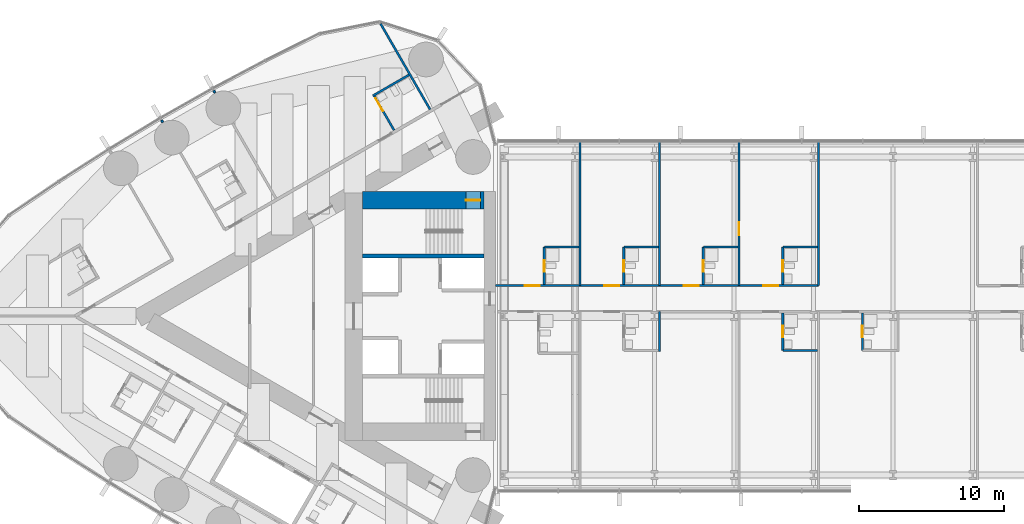
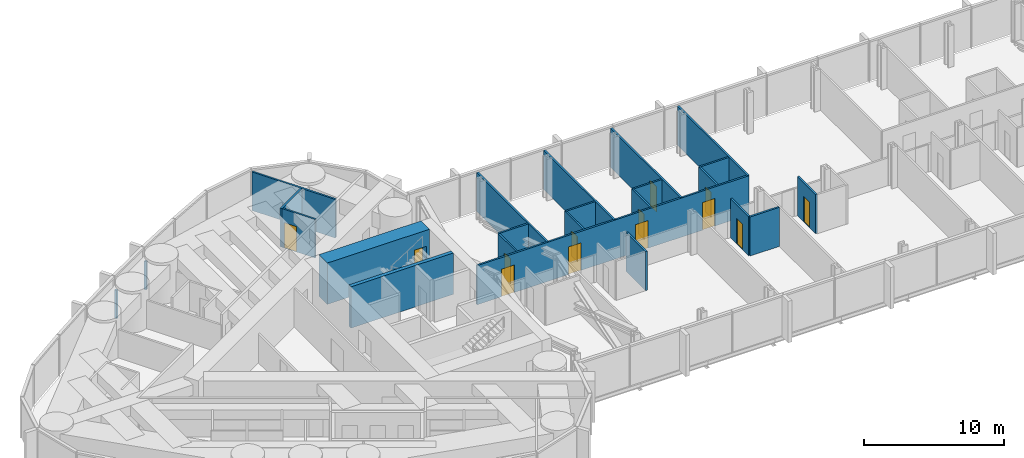
# One storey, part 16 of 22: 24 walls, 13 doors, 13 openings.
"""IFC4 building model written with IfcOpenShell, lengths in metres."""

import ifcopenshell
import ifcopenshell.guid

model = None  # the IFC model being written
_history = None  # IfcOwnerHistory: only IFC2X3 demands one
_inside = {}  # id of a spatial element -> (the spatial element, [elements in it])
_under = {}  # id of a project, library or spatial element -> (it, [spatial elements below it])
_declared = {}  # id of a project -> (the project, [libraries it declares])
_typed = {}  # id of a type object -> (the type object, [elements of that type])
_made_of = {}  # id of a material, layer set ... -> (it, [elements and type objects made of it])


def new_model(schema):
    """Start an empty IFC model of exactly this schema.

    Asked for "IFC4X3", IfcOpenShell would pick the latest addendum, in which some entities
    have other attributes; the version numbers below select the first issue.
    IFC2X3 requires an IfcOwnerHistory on every rooted entity: one is made here for all.
    """
    global model, _history
    if schema == "IFC4X3":
        model = ifcopenshell.file(schema_version=(4, 3, 0, 0))
    else:
        model = ifcopenshell.file(schema=schema)
    _inside.clear()
    _under.clear()
    _declared.clear()
    _typed.clear()
    _made_of.clear()
    _history = None
    if model.schema == "IFC2X3":
        org = make("IfcOrganization", Name="unknown")
        user = make(
            "IfcPersonAndOrganization",
            ThePerson=make("IfcPerson", FamilyName="unknown"),
            TheOrganization=org,
        )
        app = make(
            "IfcApplication",
            ApplicationDeveloper=org,
            Version="unknown",
            ApplicationFullName="unknown",
            ApplicationIdentifier="unknown",
        )
        _history = make(
            "IfcOwnerHistory",
            OwningUser=user,
            OwningApplication=app,
            ChangeAction="ADDED",
            CreationDate=0,
        )
    return model


def make(cls, **values):
    """One entity of the class cls with the attributes given. An attribute that is None is left unset."""
    return model.create_entity(
        cls, **{name: value for name, value in values.items() if value is not None}
    )


def rooted(cls, **values):
    """An entity with a GlobalId (a new one), such as an element, a storey or a relation."""
    return make(cls, GlobalId=ifcopenshell.guid.new(), OwnerHistory=_history, **values)


def si_unit(unit_type, name, prefix=None):
    """IfcSIUnit, for example si_unit("LENGTHUNIT", "METRE", prefix="MILLI")."""
    return make("IfcSIUnit", UnitType=unit_type, Prefix=prefix, Name=name)


def assignment(units):
    """IfcUnitAssignment: the units of a project."""
    return None if units is None else make("IfcUnitAssignment", Units=units)


def point(xyz):
    """IfcCartesianPoint."""
    return None if xyz is None else make("IfcCartesianPoint", Coordinates=xyz)


def direction(xyz):
    """IfcDirection."""
    return None if xyz is None else make("IfcDirection", DirectionRatios=xyz)


def frame(location, z_axis=None, x_axis=None):
    """IfcAxis2Placement3D, a coordinate frame: its origin and axes. An axis left out is left unset."""
    return make(
        "IfcAxis2Placement3D",
        Location=point(location),
        Axis=direction(z_axis),
        RefDirection=direction(x_axis),
    )


def frame_2d(location, x_axis=None):
    """IfcAxis2Placement2D, a coordinate frame in the plane: its origin and x axis."""
    return make(
        "IfcAxis2Placement2D", Location=point(location), RefDirection=direction(x_axis)
    )


def origin():
    """The frame at (0, 0, 0) with its axes left unset."""
    return frame((0.0, 0.0, 0.0))


def place(relative_to, where):
    """IfcLocalPlacement: puts the frame where relative to a parent placement (None: the world)."""
    return make(
        "IfcLocalPlacement", PlacementRelTo=relative_to, RelativePlacement=where
    )


def context(
    kind, dimensions, precision=None, world=None, true_north=None, identifier=None
):
    """IfcGeometricRepresentationContext, for example the 3D "Model" context."""
    return make(
        "IfcGeometricRepresentationContext",
        ContextIdentifier=identifier,
        ContextType=kind,
        CoordinateSpaceDimension=dimensions,
        Precision=precision,
        WorldCoordinateSystem=world,
        TrueNorth=true_north,
    )


def subcontext(parent, identifier, kind, view, scale=None):
    """IfcGeometricRepresentationSubContext, for example "Body" below "Model"."""
    return make(
        "IfcGeometricRepresentationSubContext",
        ContextIdentifier=identifier,
        ContextType=kind,
        ParentContext=parent,
        TargetScale=scale,
        TargetView=view,
    )


def project(units=None, contexts=None):
    """IfcProject with its units and contexts."""
    return rooted(
        "IfcProject",
        Name="project",
        RepresentationContexts=contexts,
        UnitsInContext=assignment(units),
    )


def spatial(cls, under=None, at=None, **own):
    """A site, building, storey or space (cls), placed at a placement, below another one or the project."""
    s = rooted(cls, ObjectPlacement=at, **own)
    if under is not None:
        _under.setdefault(under.id(), (under, []))[1].append(s)
    return s


def profile(cls, at=None, kind="AREA", **sizes):
    """A parametric profile (cls). Its sizes go by their IFC names, for example OverallWidth=200.0."""
    return make(cls, ProfileType=kind, Position=at, **sizes)


def rectangle(**sizes):
    """IfcRectangleProfileDef."""
    return profile("IfcRectangleProfileDef", **sizes)


def extrude(swept, where, along, depth):
    """IfcExtrudedAreaSolid: the profile swept, set in the frame where, extruded along a direction by depth."""
    return make(
        "IfcExtrudedAreaSolid",
        SweptArea=swept,
        Position=where,
        ExtrudedDirection=direction(along),
        Depth=depth,
    )


def shape(context_of_items, identifier, shape_type, items):
    """IfcShapeRepresentation: the items that make up one representation, for example the "Body"."""
    return make(
        "IfcShapeRepresentation",
        ContextOfItems=context_of_items,
        RepresentationIdentifier=identifier,
        RepresentationType=shape_type,
        Items=items,
    )


def material(Name=None, Category=None):
    """IfcMaterial."""
    return make("IfcMaterial", Name=Name, Category=Category)


def layer(
    of_material, thickness, ventilated=None, Name=None, Category=None, Priority=None
):
    """IfcMaterialLayer: one layer of a wall or slab, of a material (None: an air gap)."""
    return make(
        "IfcMaterialLayer",
        Material=of_material,
        LayerThickness=thickness,
        IsVentilated=ventilated,
        Name=Name,
        Category=Category,
        Priority=Priority,
    )


def layer_set(layers, Name=None):
    """IfcMaterialLayerSet."""
    return make("IfcMaterialLayerSet", MaterialLayers=layers, LayerSetName=Name)


def made_of(thing, what):
    """Note that an element or type object is made of a material, layer set ...; save() writes the relation."""
    if what is not None:
        _made_of.setdefault(what.id(), (what, []))[1].append(thing)
    return thing


def type_object(cls, material=None, **own):
    """A type object (cls), such as IfcWallType, which elements share."""
    return made_of(rooted(cls, **own), material)


def element(
    cls,
    number,
    at=None,
    inside=None,
    cuts=None,
    type_object=None,
    material=None,
    context=None,
    identifier="Body",
    shape_type=None,
    held_by="IfcProductDefinitionShape",
    body=None,
    shapes=None,
    **own,
):
    """One element of the class cls, such as IfcWall. Its Tag is "e" and its number.

    at: its placement. inside: the storey or other place that contains it. cuts: it is an
    opening in that element (IfcRelVoidsElement). A single representation is given by context,
    identifier, shape_type and body (its items); several are given by shapes. held_by: the class
    of the entity that holds the representations. save() writes the other relations.
    """
    e = rooted(cls, Tag="e%d" % number, ObjectPlacement=at, **own)
    if body is not None:
        shapes = [shape(context, identifier, shape_type, body)]
    if shapes is not None:
        e.Representation = make(held_by, Representations=shapes)
    if inside is not None:
        _inside.setdefault(inside.id(), (inside, []))[1].append(e)
    if cuts is not None:
        rooted(
            "IfcRelVoidsElement", RelatingBuildingElement=cuts, RelatedOpeningElement=e
        )
    if type_object is not None:
        _typed.setdefault(type_object.id(), (type_object, []))[1].append(e)
    return made_of(e, material)


def fill(opening, filler):
    """IfcRelFillsElement: the door or window that sits in an opening."""
    return rooted(
        "IfcRelFillsElement",
        RelatingOpeningElement=opening,
        RelatedBuildingElement=filler,
    )


def aggregate(whole, parts):
    """IfcRelAggregates: a whole, such as a stair, and the parts it consists of."""
    return rooted("IfcRelAggregates", RelatingObject=whole, RelatedObjects=parts)


def save(model, path):
    """Write the relations noted so far, then the file.

    IfcRelAggregates (storeys below a building ...), IfcRelContainedInSpatialStructure (elements
    in a storey), IfcRelDefinesByType, IfcRelAssociatesMaterial and IfcRelDeclares: one each for
    every whole, place, type object, material and project.
    """
    for whole, parts in _under.values():
        aggregate(whole, parts)
    for where, things in _inside.values():
        rooted(
            "IfcRelContainedInSpatialStructure",
            RelatedElements=things,
            RelatingStructure=where,
        )
    for kind, things in _typed.values():
        rooted("IfcRelDefinesByType", RelatedObjects=things, RelatingType=kind)
    for what, things in _made_of.values():
        rooted("IfcRelAssociatesMaterial", RelatedObjects=things, RelatingMaterial=what)
    for by, libraries in _declared.values():
        rooted("IfcRelDeclares", RelatingContext=by, RelatedDefinitions=libraries)
    model.write(path)


model = new_model("IFC4")

# Units and contexts
model_context = context("Model", 3, precision=1e-05, world=origin(), true_north=direction((0.0, 1.0)))
body_context = subcontext(model_context, "Body", "Model", "MODEL_VIEW")
ifc_project = project(units=[si_unit("LENGTHUNIT", "METRE"), si_unit("AREAUNIT", "SQUARE_METRE"), si_unit("VOLUMEUNIT", "CUBIC_METRE"), si_unit("PLANEANGLEUNIT", "RADIAN"), si_unit("MASSUNIT", "GRAM", prefix="KILO")], contexts=[model_context])

# Site, building, storey
site_placement = place(None, origin())
site = spatial("IfcSite", under=ifc_project, at=site_placement, CompositionType="ELEMENT")
building_placement = place(site_placement, origin())
building = spatial("IfcBuilding", under=site, at=building_placement, Name="Lancet Gate Hotel", CompositionType="ELEMENT")
storey_placement = place(building_placement, frame((0.0, 0.0, 229.699951171875)))
storey = spatial("IfcBuildingStorey", under=building, at=storey_placement, Name="L61", CompositionType="ELEMENT", Elevation=229.699951171875)

# Wall
ifc_material_1 = material(Name="Moisture resistant board partition")
ifc_layer_1 = layer(ifc_material_1, 0.14990234375)
ifc_layer_set_1 = layer_set([ifc_layer_1], Name="Bathroom wall 150")
wall_type_1 = type_object("IfcWallType", Name="Bathroom wall 150", PredefinedType="PARTITIONING", material=ifc_layer_set_1)
wall_1_placement = place(storey_placement, frame((-33.486572265625, 16.6748046875, 0.0), z_axis=(0.0, 0.0, 1.0), x_axis=(-0.866039941686, -0.499974818771, 0.0)))
element("IfcWall", 1, at=wall_1_placement, inside=storey, type_object=wall_type_1, Name="T1 bathroom wall 150 L61", PredefinedType="PARTITIONING", context=body_context, shape_type="SweptSolid", body=[
    extrude(rectangle(XDim=2.875244140625, YDim=0.14990234375, at=frame_2d((1.4375, 0.0))), origin(), (0.0, 0.0, 1.0), 3.35009765625),
])

# Wall, opening, door
wall_2_placement = place(storey_placement, frame((-34.511474609375, 12.849853515625, 0.0), z_axis=(0.0, 0.0, 1.0), x_axis=(-0.500011755427, 0.866018616679, 0.0)))
wall_2 = element("IfcWall", 2, at=wall_2_placement, inside=storey, type_object=wall_type_1, Name="T1 bathroom wall 150 L61", PredefinedType="PARTITIONING", context=body_context, shape_type="SweptSolid", body=[
    extrude(rectangle(XDim=2.80029296875, YDim=0.14990234375, at=frame_2d((1.400146484375, 0.0))), origin(), (0.0, 0.0, 1.0), 3.35009765625),
])
opening_1_placement = place(wall_2_placement, frame((1.550048828125, 0.0, 0.0)))
opening_1 = element("IfcOpeningElement", 3, at=opening_1_placement, cuts=wall_2, Name="Opening 6102-B", PredefinedType="OPENING", context=body_context, shape_type="SweptSolid", body=[
    extrude(rectangle(XDim=1.0, YDim=2.199951171875, at=frame_2d((0.5, 1.10009765625))), frame((0.0, 0.0849609375, 0.0), z_axis=(0.0, -1.0, 0.0), x_axis=(1.0, 0.0, 0.0)), (0.0, 0.0, 1.0), 0.169921875),
])
ifc_material_2 = material(Name="Timber door set", Category="wood")
door_type_1 = type_object("IfcDoorType", Name="Accessible en-suite door 1000", OperationType="SINGLE_SWING_RIGHT", PredefinedType="DOOR", material=ifc_material_2)
door_1_placement = place(opening_1_placement, origin())
door_1 = element("IfcDoor", 4, at=door_1_placement, inside=storey, type_object=door_type_1, Name="6102-B", OperationType="SINGLE_SWING_RIGHT", OverallHeight=2.199951171875, OverallWidth=1.0, PredefinedType="DOOR", context=body_context, shape_type="SweptSolid", body=[
    extrude(rectangle(XDim=1.0, YDim=2.199951171875, at=frame_2d((0.5, 1.10009765625))), frame((0.0, 0.02490234375, 0.0), z_axis=(0.0, -1.0, 0.0), x_axis=(1.0, 0.0, 0.0)), (0.0, 0.0, 1.0), 0.050048828125),
])
fill(opening_1, door_1)

# Wall
wall_3_placement = place(storey_placement, frame((-7.625, -2.375, 0.0), z_axis=(0.0, 0.0, 1.0), x_axis=(1.0, 0.0, 0.0)))
element("IfcWall", 5, at=wall_3_placement, inside=storey, type_object=wall_type_1, Name="Bridge block bathroom wall 150 L61", PredefinedType="PARTITIONING", context=body_context, shape_type="SweptSolid", body=[
    extrude(rectangle(XDim=2.39990234375, YDim=0.14990234375, at=frame_2d((1.199951171875, 0.0))), origin(), (0.0, 0.0, 1.0), 3.400146484375),
])

# Wall, opening, door
wall_4_placement = place(storey_placement, frame((-7.625, -2.375, 0.0), z_axis=(0.0, 0.0, 1.0), x_axis=(0.0, 1.0, 0.0)))
wall_4 = element("IfcWall", 6, at=wall_4_placement, inside=storey, type_object=wall_type_1, Name="Bridge block bathroom wall 150 L61", PredefinedType="PARTITIONING", context=body_context, shape_type="SweptSolid", body=[
    extrude(rectangle(XDim=2.60009765625, YDim=0.14990234375, at=frame_2d((1.300048828125, 0.0))), origin(), (0.0, 0.0, 1.0), 3.400146484375),
])
opening_2_placement = place(wall_4_placement, frame((0.89990234375, 0.0, 0.0)))
opening_2 = element("IfcOpeningElement", 7, at=opening_2_placement, cuts=wall_4, Name="Opening B6104-B", PredefinedType="OPENING", context=body_context, shape_type="SweptSolid", body=[
    extrude(rectangle(XDim=0.800048828125, YDim=2.199951171875, at=frame_2d((0.39990234375, 1.10009765625))), frame((0.0, 0.0849609375, 0.0), z_axis=(0.0, -1.0, 0.0), x_axis=(1.0, 0.0, 0.0)), (0.0, 0.0, 1.0), 0.169921875),
])
ifc_material_3 = material(Name="Timber door set", Category="wood")
door_type_2 = type_object("IfcDoorType", Name="Bathroom door 800", OperationType="SINGLE_SWING_RIGHT", PredefinedType="DOOR", material=ifc_material_3)
door_2_placement = place(opening_2_placement, origin())
door_2 = element("IfcDoor", 8, at=door_2_placement, inside=storey, type_object=door_type_2, Name="B6104-B", OperationType="SINGLE_SWING_RIGHT", OverallHeight=2.199951171875, OverallWidth=0.800048828125, PredefinedType="DOOR", context=body_context, shape_type="SweptSolid", body=[
    extrude(rectangle(XDim=0.800048828125, YDim=2.199951171875, at=frame_2d((0.39990234375, 1.10009765625))), frame((0.0, 0.02490234375, 0.0), z_axis=(0.0, -1.0, 0.0), x_axis=(1.0, 0.0, 0.0)), (0.0, 0.0, 1.0), 0.050048828125),
])
fill(opening_2, door_2)

wall_5_placement = place(storey_placement, frame((-2.125, -2.375, 0.0), z_axis=(0.0, 0.0, 1.0), x_axis=(0.0, 1.0, 0.0)))
wall_5 = element("IfcWall", 9, at=wall_5_placement, inside=storey, type_object=wall_type_1, Name="Bridge block bathroom wall 150 L61", PredefinedType="PARTITIONING", context=body_context, shape_type="SweptSolid", body=[
    extrude(rectangle(XDim=2.60009765625, YDim=0.14990234375, at=frame_2d((1.300048828125, 0.0))), origin(), (0.0, 0.0, 1.0), 3.400146484375),
])
opening_3_placement = place(wall_5_placement, frame((0.89990234375, 0.0, 0.0)))
opening_3 = element("IfcOpeningElement", 10, at=opening_3_placement, cuts=wall_5, Name="Opening B6105-B", PredefinedType="OPENING", context=body_context, shape_type="SweptSolid", body=[
    extrude(rectangle(XDim=0.800048828125, YDim=2.199951171875, at=frame_2d((0.39990234375, 1.10009765625))), frame((0.0, 0.0849609375, 0.0), z_axis=(0.0, -1.0, 0.0), x_axis=(1.0, 0.0, 0.0)), (0.0, 0.0, 1.0), 0.169921875),
])
door_3_placement = place(opening_3_placement, origin())
door_3 = element("IfcDoor", 11, at=door_3_placement, inside=storey, type_object=door_type_2, Name="B6105-B", OperationType="SINGLE_SWING_RIGHT", OverallHeight=2.199951171875, OverallWidth=0.800048828125, PredefinedType="DOOR", context=body_context, shape_type="SweptSolid", body=[
    extrude(rectangle(XDim=0.800048828125, YDim=2.199951171875, at=frame_2d((0.39990234375, 1.10009765625))), frame((0.0, 0.02490234375, 0.0), z_axis=(0.0, -1.0, 0.0), x_axis=(1.0, 0.0, 0.0)), (0.0, 0.0, 1.0), 0.050048828125),
])
fill(opening_3, door_3)

# Wall
wall_6_placement = place(storey_placement, frame((-24.125, 4.77490234375, 0.0), z_axis=(0.0, 0.0, 1.0), x_axis=(1.0, 0.0, 0.0)))
element("IfcWall", 12, at=wall_6_placement, inside=storey, type_object=wall_type_1, Name="Bridge block bathroom wall 150 L61", PredefinedType="PARTITIONING", context=body_context, shape_type="SweptSolid", body=[
    extrude(rectangle(XDim=2.39990234375, YDim=0.14990234375, at=frame_2d((1.199951171875, 0.0))), origin(), (0.0, 0.0, 1.0), 3.400146484375),
])

# Wall, opening, door
wall_7_placement = place(storey_placement, frame((-24.125, 2.175048828125, 0.0), z_axis=(0.0, 0.0, 1.0), x_axis=(0.0, 1.0, 0.0)))
wall_7 = element("IfcWall", 13, at=wall_7_placement, inside=storey, type_object=wall_type_1, Name="Bridge block bathroom wall 150 L61", PredefinedType="PARTITIONING", context=body_context, shape_type="SweptSolid", body=[
    extrude(rectangle(XDim=2.599853515625, YDim=0.14990234375, at=frame_2d((1.2998046875, 0.0))), origin(), (0.0, 0.0, 1.0), 3.400146484375),
])
opening_4_placement = place(wall_7_placement, frame((0.89990234375, 0.0, 0.0)))
opening_4 = element("IfcOpeningElement", 14, at=opening_4_placement, cuts=wall_7, Name="Opening B6111-B", PredefinedType="OPENING", context=body_context, shape_type="SweptSolid", body=[
    extrude(rectangle(XDim=0.800048828125, YDim=2.199951171875, at=frame_2d((0.39990234375, 1.10009765625))), frame((0.0, 0.0849609375, 0.0), z_axis=(0.0, -1.0, 0.0), x_axis=(1.0, 0.0, 0.0)), (0.0, 0.0, 1.0), 0.169921875),
])
door_4_placement = place(opening_4_placement, origin())
door_4 = element("IfcDoor", 15, at=door_4_placement, inside=storey, type_object=door_type_2, Name="B6111-B", OperationType="SINGLE_SWING_RIGHT", OverallHeight=2.199951171875, OverallWidth=0.800048828125, PredefinedType="DOOR", context=body_context, shape_type="SweptSolid", body=[
    extrude(rectangle(XDim=0.800048828125, YDim=2.199951171875, at=frame_2d((0.39990234375, 1.10009765625))), frame((0.0, 0.02490234375, 0.0), z_axis=(0.0, -1.0, 0.0), x_axis=(1.0, 0.0, 0.0)), (0.0, 0.0, 1.0), 0.050048828125),
])
fill(opening_4, door_4)

# Wall
wall_8_placement = place(storey_placement, frame((-18.625, 4.77490234375, 0.0), z_axis=(0.0, 0.0, 1.0), x_axis=(1.0, 0.0, 0.0)))
element("IfcWall", 16, at=wall_8_placement, inside=storey, type_object=wall_type_1, Name="Bridge block bathroom wall 150 L61", PredefinedType="PARTITIONING", context=body_context, shape_type="SweptSolid", body=[
    extrude(rectangle(XDim=2.39990234375, YDim=0.14990234375, at=frame_2d((1.199951171875, 0.0))), origin(), (0.0, 0.0, 1.0), 3.400146484375),
])

# Wall, opening, door
wall_9_placement = place(storey_placement, frame((-18.625, 2.175048828125, 0.0), z_axis=(0.0, 0.0, 1.0), x_axis=(0.0, 1.0, 0.0)))
wall_9 = element("IfcWall", 17, at=wall_9_placement, inside=storey, type_object=wall_type_1, Name="Bridge block bathroom wall 150 L61", PredefinedType="PARTITIONING", context=body_context, shape_type="SweptSolid", body=[
    extrude(rectangle(XDim=2.599853515625, YDim=0.14990234375, at=frame_2d((1.2998046875, 0.0))), origin(), (0.0, 0.0, 1.0), 3.400146484375),
])
opening_5_placement = place(wall_9_placement, frame((0.89990234375, 0.0, 0.0)))
opening_5 = element("IfcOpeningElement", 18, at=opening_5_placement, cuts=wall_9, Name="Opening B6112-B", PredefinedType="OPENING", context=body_context, shape_type="SweptSolid", body=[
    extrude(rectangle(XDim=0.800048828125, YDim=2.199951171875, at=frame_2d((0.39990234375, 1.10009765625))), frame((0.0, 0.0849609375, 0.0), z_axis=(0.0, -1.0, 0.0), x_axis=(1.0, 0.0, 0.0)), (0.0, 0.0, 1.0), 0.169921875),
])
door_5_placement = place(opening_5_placement, origin())
door_5 = element("IfcDoor", 19, at=door_5_placement, inside=storey, type_object=door_type_2, Name="B6112-B", OperationType="SINGLE_SWING_RIGHT", OverallHeight=2.199951171875, OverallWidth=0.800048828125, PredefinedType="DOOR", context=body_context, shape_type="SweptSolid", body=[
    extrude(rectangle(XDim=0.800048828125, YDim=2.199951171875, at=frame_2d((0.39990234375, 1.10009765625))), frame((0.0, 0.02490234375, 0.0), z_axis=(0.0, -1.0, 0.0), x_axis=(1.0, 0.0, 0.0)), (0.0, 0.0, 1.0), 0.050048828125),
])
fill(opening_5, door_5)

# Wall
wall_10_placement = place(storey_placement, frame((-13.125, 4.77490234375, 0.0), z_axis=(0.0, 0.0, 1.0), x_axis=(1.0, 0.0, 0.0)))
element("IfcWall", 20, at=wall_10_placement, inside=storey, type_object=wall_type_1, Name="Bridge block bathroom wall 150 L61", PredefinedType="PARTITIONING", context=body_context, shape_type="SweptSolid", body=[
    extrude(rectangle(XDim=2.39990234375, YDim=0.14990234375, at=frame_2d((1.199951171875, 0.0))), origin(), (0.0, 0.0, 1.0), 3.400146484375),
])

# Wall, opening, door
wall_11_placement = place(storey_placement, frame((-13.125, 2.175048828125, 0.0), z_axis=(0.0, 0.0, 1.0), x_axis=(0.0, 1.0, 0.0)))
wall_11 = element("IfcWall", 21, at=wall_11_placement, inside=storey, type_object=wall_type_1, Name="Bridge block bathroom wall 150 L61", PredefinedType="PARTITIONING", context=body_context, shape_type="SweptSolid", body=[
    extrude(rectangle(XDim=2.599853515625, YDim=0.14990234375, at=frame_2d((1.2998046875, 0.0))), origin(), (0.0, 0.0, 1.0), 3.400146484375),
])
opening_6_placement = place(wall_11_placement, frame((0.89990234375, 0.0, 0.0)))
opening_6 = element("IfcOpeningElement", 22, at=opening_6_placement, cuts=wall_11, Name="Opening B6113-B", PredefinedType="OPENING", context=body_context, shape_type="SweptSolid", body=[
    extrude(rectangle(XDim=0.800048828125, YDim=2.199951171875, at=frame_2d((0.39990234375, 1.10009765625))), frame((0.0, 0.0849609375, 0.0), z_axis=(0.0, -1.0, 0.0), x_axis=(1.0, 0.0, 0.0)), (0.0, 0.0, 1.0), 0.169921875),
])
door_6_placement = place(opening_6_placement, origin())
door_6 = element("IfcDoor", 23, at=door_6_placement, inside=storey, type_object=door_type_2, Name="B6113-B", OperationType="SINGLE_SWING_RIGHT", OverallHeight=2.199951171875, OverallWidth=0.800048828125, PredefinedType="DOOR", context=body_context, shape_type="SweptSolid", body=[
    extrude(rectangle(XDim=0.800048828125, YDim=2.199951171875, at=frame_2d((0.39990234375, 1.10009765625))), frame((0.0, 0.02490234375, 0.0), z_axis=(0.0, -1.0, 0.0), x_axis=(1.0, 0.0, 0.0)), (0.0, 0.0, 1.0), 0.050048828125),
])
fill(opening_6, door_6)

# Wall
wall_12_placement = place(storey_placement, frame((-7.625, 4.77490234375, 0.0), z_axis=(0.0, 0.0, 1.0), x_axis=(1.0, 0.0, 0.0)))
element("IfcWall", 24, at=wall_12_placement, inside=storey, type_object=wall_type_1, Name="Bridge block bathroom wall 150 L61", PredefinedType="PARTITIONING", context=body_context, shape_type="SweptSolid", body=[
    extrude(rectangle(XDim=2.39990234375, YDim=0.14990234375, at=frame_2d((1.199951171875, 0.0))), origin(), (0.0, 0.0, 1.0), 3.400146484375),
])

# Wall, opening, door
wall_13_placement = place(storey_placement, frame((-7.625, 2.175048828125, 0.0), z_axis=(0.0, 0.0, 1.0), x_axis=(0.0, 1.0, 0.0)))
wall_13 = element("IfcWall", 25, at=wall_13_placement, inside=storey, type_object=wall_type_1, Name="Bridge block bathroom wall 150 L61", PredefinedType="PARTITIONING", context=body_context, shape_type="SweptSolid", body=[
    extrude(rectangle(XDim=2.599853515625, YDim=0.14990234375, at=frame_2d((1.2998046875, 0.0))), origin(), (0.0, 0.0, 1.0), 3.400146484375),
])
opening_7_placement = place(wall_13_placement, frame((0.89990234375, 0.0, 0.0)))
opening_7 = element("IfcOpeningElement", 26, at=opening_7_placement, cuts=wall_13, Name="Opening B6114-B", PredefinedType="OPENING", context=body_context, shape_type="SweptSolid", body=[
    extrude(rectangle(XDim=0.800048828125, YDim=2.199951171875, at=frame_2d((0.39990234375, 1.10009765625))), frame((0.0, 0.0849609375, 0.0), z_axis=(0.0, -1.0, 0.0), x_axis=(1.0, 0.0, 0.0)), (0.0, 0.0, 1.0), 0.169921875),
])
door_7_placement = place(opening_7_placement, origin())
door_7 = element("IfcDoor", 27, at=door_7_placement, inside=storey, type_object=door_type_2, Name="B6114-B", OperationType="SINGLE_SWING_RIGHT", OverallHeight=2.199951171875, OverallWidth=0.800048828125, PredefinedType="DOOR", context=body_context, shape_type="SweptSolid", body=[
    extrude(rectangle(XDim=0.800048828125, YDim=2.199951171875, at=frame_2d((0.39990234375, 1.10009765625))), frame((0.0, 0.02490234375, 0.0), z_axis=(0.0, -1.0, 0.0), x_axis=(1.0, 0.0, 0.0)), (0.0, 0.0, 1.0), 0.050048828125),
])
fill(opening_7, door_7)

# Wall, openings, doors
ifc_material_4 = material(Name="Gypsum board partition")
ifc_layer_2 = layer(ifc_material_4, 0.14990234375)
ifc_layer_set_2 = layer_set([ifc_layer_2], Name="Block corridor wall 150")
wall_type_2 = type_object("IfcWallType", Name="Block corridor wall 150", PredefinedType="PARTITIONING", material=ifc_layer_set_2)
wall_14_placement = place(storey_placement, frame((-27.5, 2.10009765625, 0.0), z_axis=(0.0, 0.0, 1.0), x_axis=(1.0, 0.0, 0.0)))
wall_14 = element("IfcWall", 28, at=wall_14_placement, inside=storey, type_object=wall_type_2, Name="Bridge block block corridor wall 150 L61", PredefinedType="PARTITIONING", context=body_context, shape_type="SweptSolid", body=[
    extrude(rectangle(XDim=22.35009765625, YDim=0.14990234375, at=frame_2d((11.175048828125, 0.0))), origin(), (0.0, 0.0, 1.0), 3.400146484375),
])
opening_8_placement = place(wall_14_placement, frame((2.02490234375, 0.0, 0.0)))
opening_8 = element("IfcOpeningElement", 29, at=opening_8_placement, cuts=wall_14, Name="Opening B6111", PredefinedType="OPENING", context=body_context, shape_type="SweptSolid", body=[
    extrude(rectangle(XDim=1.050048828125, YDim=2.39990234375, at=frame_2d((0.52490234375, 1.199951171875))), frame((0.0, 0.0849609375, 0.0), z_axis=(0.0, -1.0, 0.0), x_axis=(1.0, 0.0, 0.0)), (0.0, 0.0, 1.0), 0.169921875),
])
opening_9_placement = place(wall_14_placement, frame((7.52490234375, 0.0, 0.0)))
opening_9 = element("IfcOpeningElement", 30, at=opening_9_placement, cuts=wall_14, Name="Opening B6112", PredefinedType="OPENING", context=body_context, shape_type="SweptSolid", body=[
    extrude(rectangle(XDim=1.050048828125, YDim=2.39990234375, at=frame_2d((0.52490234375, 1.199951171875))), frame((0.0, 0.0849609375, 0.0), z_axis=(0.0, -1.0, 0.0), x_axis=(1.0, 0.0, 0.0)), (0.0, 0.0, 1.0), 0.169921875),
])
opening_10_placement = place(wall_14_placement, frame((13.02490234375, 0.0, 0.0)))
opening_10 = element("IfcOpeningElement", 31, at=opening_10_placement, cuts=wall_14, Name="Opening B6113", PredefinedType="OPENING", context=body_context, shape_type="SweptSolid", body=[
    extrude(rectangle(XDim=1.050048828125, YDim=2.39990234375, at=frame_2d((0.52490234375, 1.199951171875))), frame((0.0, 0.0849609375, 0.0), z_axis=(0.0, -1.0, 0.0), x_axis=(1.0, 0.0, 0.0)), (0.0, 0.0, 1.0), 0.169921875),
])
opening_11_placement = place(wall_14_placement, frame((18.52490234375, 0.0, 0.0)))
opening_11 = element("IfcOpeningElement", 32, at=opening_11_placement, cuts=wall_14, Name="Opening B6114", PredefinedType="OPENING", context=body_context, shape_type="SweptSolid", body=[
    extrude(rectangle(XDim=1.050048828125, YDim=2.39990234375, at=frame_2d((0.52490234375, 1.199951171875))), frame((0.0, 0.0849609375, 0.0), z_axis=(0.0, -1.0, 0.0), x_axis=(1.0, 0.0, 0.0)), (0.0, 0.0, 1.0), 0.169921875),
])
ifc_material_5 = material(Name="Timber door set", Category="wood")
door_type_3 = type_object("IfcDoorType", Name="Suite entry door 1050", OperationType="SINGLE_SWING_LEFT", PredefinedType="DOOR", material=ifc_material_5)
door_8_placement = place(opening_8_placement, origin())
door_8 = element("IfcDoor", 33, at=door_8_placement, inside=storey, type_object=door_type_3, Name="B6111", OperationType="SINGLE_SWING_LEFT", OverallHeight=2.39990234375, OverallWidth=1.050048828125, PredefinedType="DOOR", context=body_context, shape_type="SweptSolid", body=[
    extrude(rectangle(XDim=1.050048828125, YDim=2.39990234375, at=frame_2d((0.52490234375, 1.199951171875))), frame((0.0, 0.02490234375, 0.0), z_axis=(0.0, -1.0, 0.0), x_axis=(1.0, 0.0, 0.0)), (0.0, 0.0, 1.0), 0.050048828125),
])
fill(opening_8, door_8)
door_9_placement = place(opening_9_placement, origin())
door_9 = element("IfcDoor", 34, at=door_9_placement, inside=storey, type_object=door_type_3, Name="B6112", OperationType="SINGLE_SWING_LEFT", OverallHeight=2.39990234375, OverallWidth=1.050048828125, PredefinedType="DOOR", context=body_context, shape_type="SweptSolid", body=[
    extrude(rectangle(XDim=1.050048828125, YDim=2.39990234375, at=frame_2d((0.52490234375, 1.199951171875))), frame((0.0, 0.02490234375, 0.0), z_axis=(0.0, -1.0, 0.0), x_axis=(1.0, 0.0, 0.0)), (0.0, 0.0, 1.0), 0.050048828125),
])
fill(opening_9, door_9)
door_10_placement = place(opening_10_placement, origin())
door_10 = element("IfcDoor", 35, at=door_10_placement, inside=storey, type_object=door_type_3, Name="B6113", OperationType="SINGLE_SWING_LEFT", OverallHeight=2.39990234375, OverallWidth=1.050048828125, PredefinedType="DOOR", context=body_context, shape_type="SweptSolid", body=[
    extrude(rectangle(XDim=1.050048828125, YDim=2.39990234375, at=frame_2d((0.52490234375, 1.199951171875))), frame((0.0, 0.02490234375, 0.0), z_axis=(0.0, -1.0, 0.0), x_axis=(1.0, 0.0, 0.0)), (0.0, 0.0, 1.0), 0.050048828125),
])
fill(opening_10, door_10)
door_11_placement = place(opening_11_placement, origin())
door_11 = element("IfcDoor", 36, at=door_11_placement, inside=storey, type_object=door_type_3, Name="B6114", OperationType="SINGLE_SWING_LEFT", OverallHeight=2.39990234375, OverallWidth=1.050048828125, PredefinedType="DOOR", context=body_context, shape_type="SweptSolid", body=[
    extrude(rectangle(XDim=1.050048828125, YDim=2.39990234375, at=frame_2d((0.52490234375, 1.199951171875))), frame((0.0, 0.02490234375, 0.0), z_axis=(0.0, -1.0, 0.0), x_axis=(1.0, 0.0, 0.0)), (0.0, 0.0, 1.0), 0.050048828125),
])
fill(opening_11, door_11)

# Wall, opening, door
ifc_material_6 = material(Name="Concrete C70/85", Category="concrete")
ifc_layer_3 = layer(ifc_material_6, 1.199951171875)
ifc_layer_set_3 = layer_set([ifc_layer_3], Name="Core wall 1200")
wall_type_3 = type_object("IfcWallType", Name="Core wall 1200", PredefinedType="SHEAR", material=ifc_layer_set_3)
wall_15_placement = place(storey_placement, frame((-28.300048828125, 8.0, 0.0), z_axis=(0.0, 0.0, 1.0), x_axis=(-1.0, 0.0, 0.0)))
wall_15 = element("IfcWall", 37, at=wall_15_placement, inside=storey, type_object=wall_type_3, Name="T1 core wall side-S L61", PredefinedType="SHEAR", context=body_context, shape_type="SweptSolid", body=[
    extrude(rectangle(XDim=8.39990234375, YDim=1.199951171875, at=frame_2d((4.199951171875, 0.0))), origin(), (0.0, 0.0, 1.0), 3.60009765625),
])
opening_12_placement = place(wall_15_placement, frame((0.25, 0.0, 0.0)))
opening_12 = element("IfcOpeningElement", 38, at=opening_12_placement, cuts=wall_15, Name="Opening T1-L61-ST1", PredefinedType="OPENING", context=body_context, shape_type="SweptSolid", body=[
    extrude(rectangle(XDim=1.0, YDim=2.199951171875, at=frame_2d((0.5, 1.10009765625))), frame((0.0, 0.60986328125, 0.0), z_axis=(0.0, -1.0, 0.0), x_axis=(1.0, 0.0, 0.0)), (0.0, 0.0, 1.0), 1.219970703125),
])
ifc_material_7 = material(Name="Timber door set", Category="wood")
door_type_4 = type_object("IfcDoorType", Name="Stair door 1000", OperationType="SINGLE_SWING_RIGHT", PredefinedType="DOOR", material=ifc_material_7)
door_12_placement = place(opening_12_placement, origin())
door_12 = element("IfcDoor", 39, at=door_12_placement, inside=storey, type_object=door_type_4, Name="T1-L61-ST1", OperationType="SINGLE_SWING_RIGHT", OverallHeight=2.199951171875, OverallWidth=1.0, PredefinedType="DOOR", context=body_context, shape_type="SweptSolid", body=[
    extrude(rectangle(XDim=1.0, YDim=2.199951171875, at=frame_2d((0.5, 1.10009765625))), frame((0.0, 0.02490234375, 0.0), z_axis=(0.0, -1.0, 0.0), x_axis=(1.0, 0.0, 0.0)), (0.0, 0.0, 1.0), 0.050048828125),
])
fill(opening_12, door_12)

# Walls
ifc_material_8 = material(Name="Gypsum board partition")
ifc_layer_4 = layer(ifc_material_8, 0.14990234375)
ifc_layer_set_4 = layer_set([ifc_layer_4], Name="Party wall 150")
wall_type_4 = type_object("IfcWallType", Name="Party wall 150", PredefinedType="PARTITIONING", material=ifc_layer_set_4)
wall_16_placement = place(storey_placement, frame((-32.021728515625, 14.287353515625, 0.0), z_axis=(0.0, 0.0, 1.0), x_axis=(-0.50000019414, 0.866025291697, 0.0)))
element("IfcWall", 40, at=wall_16_placement, inside=storey, type_object=wall_type_4, Name="T1 party wall 150 L61", PredefinedType="PARTITIONING", context=body_context, shape_type="SweptSolid", body=[
    extrude(rectangle(XDim=6.84814453125, YDim=0.14990234375, at=frame_2d((3.424072265625, 0.0))), origin(), (0.0, 0.0, 1.0), 3.35009765625),
])
wall_17_placement = place(storey_placement, frame((-46.89794921875, 15.438720703125, 0.0), z_axis=(0.0, 0.0, 1.0), x_axis=(-0.500232303069, 0.865891241997, 0.0)))
element("IfcWall", 41, at=wall_17_placement, inside=storey, type_object=wall_type_4, Name="T1 party wall 150 L61", PredefinedType="PARTITIONING", context=body_context, shape_type="SweptSolid", body=[
    extrude(rectangle(XDim=0.1796875, YDim=0.14990234375, at=frame_2d((0.08984375, 0.0))), origin(), (0.0, 0.0, 1.0), 2.449951171875),
])
wall_18_placement = place(storey_placement, frame((-50.507568359375, 13.392333984375, 0.0), z_axis=(0.0, 0.0, 1.0), x_axis=(-0.499644091975, 0.866230789891, 0.0)))
element("IfcWall", 42, at=wall_18_placement, inside=storey, type_object=wall_type_4, Name="T1 party wall 150 L61", PredefinedType="PARTITIONING", context=body_context, shape_type="SweptSolid", body=[
    extrude(rectangle(XDim=0.179931640625, YDim=0.14990234375, at=frame_2d((0.08984375, 0.0))), origin(), (0.0, 0.0, 1.0), 2.449951171875),
])
for number, where, z_axis, x_axis, name in (
    (43, (-21.64990234375, 2.10009765625, 0.0), (0.0, 0.0, 1.0), (0.0, 1.0, 0.0), "Bridge block party wall 150 L61"),
    (44, (-16.14990234375, 2.10009765625, 0.0), (0.0, 0.0, 1.0), (0.0, 1.0, 0.0), "Bridge block party wall 150 L61"),
):
    element("IfcWall", number, at=place(storey_placement, frame(where, z_axis=z_axis, x_axis=x_axis)), inside=storey, type_object=wall_type_4, Name=name, PredefinedType="PARTITIONING", context=body_context, shape_type="SweptSolid", body=[
        extrude(rectangle(XDim=9.969970703125, YDim=0.14990234375, at=frame_2d((4.98486328125, 0.0))), origin(), (0.0, 0.0, 1.0), 3.400146484375),
    ])

# Wall, opening, door
wall_19_placement = place(storey_placement, frame((-10.64990234375, 2.10009765625, 0.0), z_axis=(0.0, 0.0, 1.0), x_axis=(0.0, 1.0, 0.0)))
wall_19 = element("IfcWall", 45, at=wall_19_placement, inside=storey, type_object=wall_type_4, Name="Bridge block party wall 150 L61", PredefinedType="PARTITIONING", context=body_context, shape_type="SweptSolid", body=[
    extrude(rectangle(XDim=9.969970703125, YDim=0.14990234375, at=frame_2d((4.98486328125, 0.0))), origin(), (0.0, 0.0, 1.0), 3.400146484375),
])
opening_13_placement = place(wall_19_placement, frame((3.5, 0.0, 0.0)))
opening_13 = element("IfcOpeningElement", 46, at=opening_13_placement, cuts=wall_19, Name="Opening B6113-C", PredefinedType="OPENING", context=body_context, shape_type="SweptSolid", body=[
    extrude(rectangle(XDim=0.89990234375, YDim=2.199951171875, at=frame_2d((0.449951171875, 1.10009765625))), frame((0.0, 0.0849609375, 0.0), z_axis=(0.0, -1.0, 0.0), x_axis=(1.0, 0.0, 0.0)), (0.0, 0.0, 1.0), 0.169921875),
])
ifc_material_9 = material(Name="Timber door set", Category="wood")
door_type_5 = type_object("IfcDoorType", Name="Connecting door 900", OperationType="SINGLE_SWING_LEFT", PredefinedType="DOOR", material=ifc_material_9)
door_13_placement = place(opening_13_placement, origin())
door_13 = element("IfcDoor", 47, at=door_13_placement, inside=storey, type_object=door_type_5, Name="B6113-C", OperationType="SINGLE_SWING_LEFT", OverallHeight=2.199951171875, OverallWidth=0.89990234375, PredefinedType="DOOR", context=body_context, shape_type="SweptSolid", body=[
    extrude(rectangle(XDim=0.89990234375, YDim=2.199951171875, at=frame_2d((0.449951171875, 1.10009765625))), frame((0.0, 0.02490234375, 0.0), z_axis=(0.0, -1.0, 0.0), x_axis=(1.0, 0.0, 0.0)), (0.0, 0.0, 1.0), 0.050048828125),
])
fill(opening_13, door_13)

# Walls
wall_20_placement = place(storey_placement, frame((-5.14990234375, 2.10009765625, 0.0), z_axis=(0.0, 0.0, 1.0), x_axis=(0.0, 1.0, 0.0)))
element("IfcWall", 48, at=wall_20_placement, inside=storey, type_object=wall_type_4, Name="Bridge block party wall 150 L61", PredefinedType="PARTITIONING", context=body_context, shape_type="SweptSolid", body=[
    extrude(rectangle(XDim=9.969970703125, YDim=0.14990234375, at=frame_2d((4.98486328125, 0.0))), origin(), (0.0, 0.0, 1.0), 3.400146484375),
])
wall_21_placement = place(storey_placement, frame((-16.14990234375, -2.449951171875, 0.0), z_axis=(0.0, 0.0, 1.0), x_axis=(0.0, 1.0, 0.0)))
element("IfcWall", 49, at=wall_21_placement, inside=storey, type_object=wall_type_4, Name="Bridge block party wall 150 L61", PredefinedType="PARTITIONING", context=body_context, shape_type="SweptSolid", body=[
    extrude(rectangle(XDim=2.75, YDim=0.14990234375, at=frame_2d((1.375, 0.0))), origin(), (0.0, 0.0, 1.0), 3.400146484375),
])
ifc_material_10 = material(Name="Concrete C50/60", Category="concrete")
ifc_layer_5 = layer(ifc_material_10, 0.300048828125)
ifc_layer_set_5 = layer_set([ifc_layer_5], Name="Stair enclosure wall 300")
wall_type_5 = type_object("IfcWallType", Name="Stair enclosure wall 300", PredefinedType="SHEAR", material=ifc_layer_set_5)
wall_22_placement = place(storey_placement, frame((-28.300048828125, 4.14990234375, 0.0), z_axis=(0.0, 0.0, 1.0), x_axis=(-1.0, 0.0, 0.0)))
element("IfcWall", 50, at=wall_22_placement, inside=storey, type_object=wall_type_5, Name="T1 core wall stair-S L61", PredefinedType="SHEAR", context=body_context, shape_type="SweptSolid", body=[
    extrude(rectangle(XDim=8.39990234375, YDim=0.300048828125, at=frame_2d((4.199951171875, 0.0))), origin(), (0.0, 0.0, 1.0), 3.60009765625),
])

save(model, "model.ifc")
